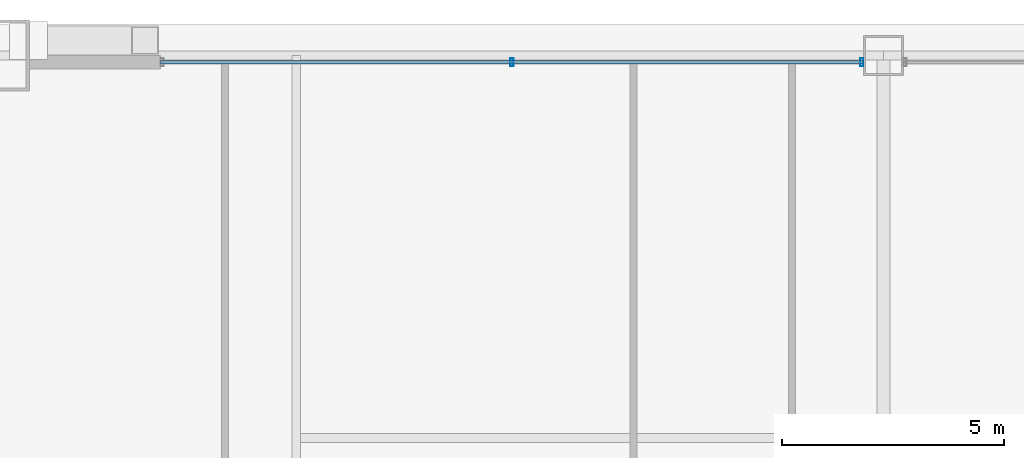
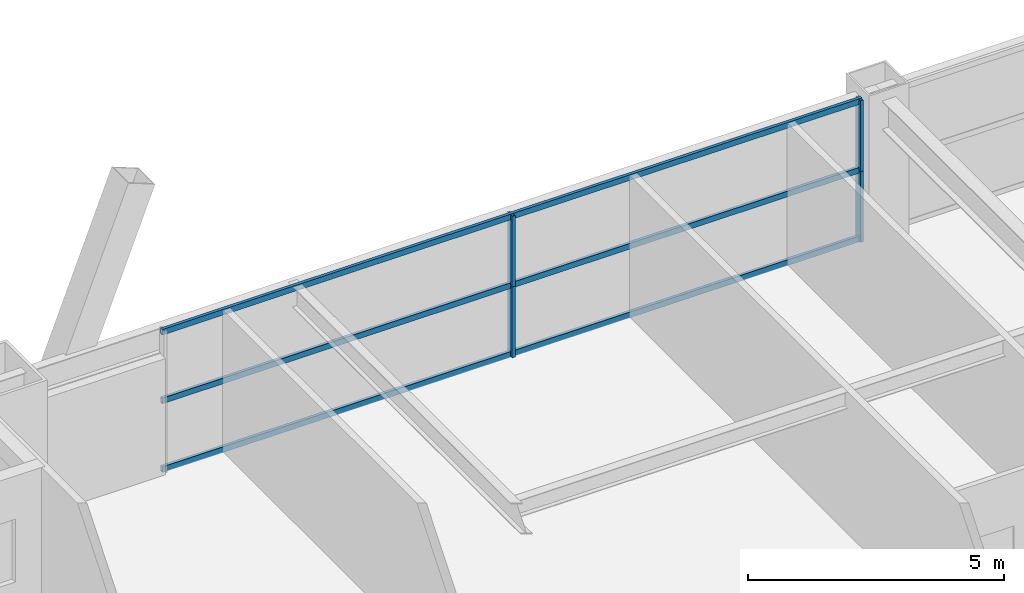
# One storey, part 27 of 41: 7 members, 1 element without a shape of its own.
"""IFC4 building model written with IfcOpenShell, lengths in metres."""

from ifc_helpers import new_model, si_unit, direction, frame, origin, origin_2d, place, context, subcontext, project, spatial, hollow_rectangle, extrude, source, transform, mapped, material, layer, layer_set, material_profile, profile_set, type_object, element, aggregate, save


model = new_model("IFC4")

# Units and contexts
model_context = context("Model", 3, precision=1e-05, world=origin(), true_north=direction((0.0, 1.0)))
body_context = subcontext(model_context, "Body", "Model", "MODEL_VIEW")
ifc_project = project(units=[si_unit("LENGTHUNIT", "METRE"), si_unit("AREAUNIT", "SQUARE_METRE"), si_unit("VOLUMEUNIT", "CUBIC_METRE"), si_unit("PLANEANGLEUNIT", "RADIAN"), si_unit("MASSUNIT", "GRAM", prefix="KILO"), si_unit("THERMODYNAMICTEMPERATUREUNIT", "KELVIN"), si_unit("POWERUNIT", "WATT")], contexts=[model_context])

# Site, building, storey
site_placement = place(None, origin())
site = spatial("IfcSite", under=ifc_project, at=site_placement, CompositionType="ELEMENT")
building_placement = place(site_placement, origin())
building = spatial("IfcBuilding", under=site, at=building_placement, Name="Yuzanri Waterfront Tower", CompositionType="ELEMENT")
storey_placement = place(building_placement, frame((0.0, 0.0, 115.39990234375)))
storey = spatial("IfcBuildingStorey", under=building, at=storey_placement, Name="L30", CompositionType="ELEMENT", Elevation=115.39990234375)

# Curtain wall, members
ifc_material_1 = material(Name="Anodized Architectural Bronze", Category="metal")
ifc_layer = layer(ifc_material_1, 0.159912109375)
ifc_layer_set = layer_set([ifc_layer], Name="Anodized Architectural Bronze")
curtain_wall_type = type_object("IfcCurtainWallType", Name="Anodized Bronze Hotel Upper-Tier Solar-Control Unitized Curtain Wall 7800", PredefinedType="NOTDEFINED", material=ifc_layer_set)
curtain_wall_placement = place(storey_placement, origin())
curtain_wall = element("IfcCurtainWall", 1, at=curtain_wall_placement, inside=storey, type_object=curtain_wall_type, Name="L30 Curtain Wall CW-L30-NL", PredefinedType="NOTDEFINED")
ifc_material_2 = material(Name="Anodized Architectural Bronze", Category="metal")
ifc_material_profile_1 = material_profile(ifc_material_2, hollow_rectangle(XDim=0.070068359375, YDim=0.179931640625, WallThickness=0.00390625, at=origin_2d()), Name="CWM 70x180")
ifc_profile_set_1 = profile_set([ifc_material_profile_1], Name="Anodized Architectural Bronze")
member_type_1 = type_object("IfcMemberType", Name="Anodized Bronze Standard Curtain-Wall Mullion 70x180", PredefinedType="MULLION", material=ifc_profile_set_1)
shared_shape_1 = source(origin(), body_context, "Body", "SweptSolid", [
    extrude(hollow_rectangle(XDim=0.070068359375, YDim=0.179931640625, WallThickness=0.00390625, at=origin_2d()), origin(), (0.0, 0.0, 1.0), 1.68798828125),
])
member_1_placement = place(storey_placement, frame((28.64990234375, 49.25, 0.0), z_axis=(0.0, 0.0, 1.0), x_axis=(1.0, 0.0, 0.0)))
member_1 = element("IfcMember", 2, at=member_1_placement, type_object=member_type_1, Name="CW-L30-NL Lower Mullion 01", PredefinedType="MULLION", context=body_context, shape_type="MappedRepresentation", body=[
    mapped(shared_shape_1, transform((0.0, 0.0, 0.0), scale=1.0)),
])
member_2_placement = place(storey_placement, frame((28.64990234375, 49.25, 1.692138671875), z_axis=(0.0, 0.0, 1.0), x_axis=(1.0, 0.0, 0.0)))
member_2 = element("IfcMember", 3, at=member_2_placement, type_object=member_type_1, Name="CW-L30-NL Upper Mullion 01", PredefinedType="MULLION", context=body_context, shape_type="MappedRepresentation", body=[
    mapped(shared_shape_1, transform((0.0, 0.0, 0.0), scale=1.0)),
])
member_3_placement = place(storey_placement, frame((36.510009765625, 49.25, 0.0), z_axis=(0.0, 0.0, 1.0), x_axis=(1.0, 0.0, 0.0)))
member_3 = element("IfcMember", 4, at=member_3_placement, type_object=member_type_1, Name="CW-L30-NL Lower Mullion 02", PredefinedType="MULLION", context=body_context, shape_type="MappedRepresentation", body=[
    mapped(shared_shape_1, transform((0.0, 0.0, 0.0), scale=1.0)),
])
member_4_placement = place(storey_placement, frame((36.510009765625, 49.25, 1.692138671875), z_axis=(0.0, 0.0, 1.0), x_axis=(1.0, 0.0, 0.0)))
member_4 = element("IfcMember", 5, at=member_4_placement, type_object=member_type_1, Name="CW-L30-NL Upper Mullion 02", PredefinedType="MULLION", context=body_context, shape_type="MappedRepresentation", body=[
    mapped(shared_shape_1, transform((0.0, 0.0, 0.0), scale=1.0)),
])
ifc_material_3 = material(Name="Anodized Architectural Bronze", Category="metal")
ifc_material_profile_2 = material_profile(ifc_material_3, hollow_rectangle(XDim=0.070068359375, YDim=0.135009765625, WallThickness=0.00341796875, at=origin_2d()), Name="CWT 70x135")
ifc_profile_set_2 = profile_set([ifc_material_profile_2], Name="Anodized Architectural Bronze")
member_type_2 = type_object("IfcMemberType", Name="Anodized Bronze Standard Curtain-Wall Transom 70x135", PredefinedType="USERDEFINED", material=ifc_profile_set_2)
shared_shape_2 = source(origin(), body_context, "Body", "SweptSolid", [
    extrude(hollow_rectangle(XDim=0.070068359375, YDim=0.135009765625, WallThickness=0.00341796875, at=origin_2d()), origin(), (0.0, 0.0, 1.0), 15.800048828125),
])
member_5_placement = place(storey_placement, frame((20.75, 49.25, 0.050048828125), z_axis=(1.0, 0.0, 0.0), x_axis=(0.0, 1.0, 0.0)))
member_5 = element("IfcMember", 6, at=member_5_placement, type_object=member_type_2, Name="CW-L30-NL Transom 1", ObjectType="TRANSOM", PredefinedType="USERDEFINED", context=body_context, shape_type="MappedRepresentation", body=[
    mapped(shared_shape_2, transform((0.0, 0.0, 0.0), scale=1.0)),
])
member_6_placement = place(storey_placement, frame((20.75, 49.25, 1.690185546875), z_axis=(1.0, 0.0, 0.0), x_axis=(0.0, 1.0, 0.0)))
member_6 = element("IfcMember", 7, at=member_6_placement, type_object=member_type_2, Name="CW-L30-NL Transom 2", ObjectType="TRANSOM", PredefinedType="USERDEFINED", context=body_context, shape_type="MappedRepresentation", body=[
    mapped(shared_shape_2, transform((0.0, 0.0, 0.0), scale=1.0)),
])
member_7_placement = place(storey_placement, frame((20.75, 49.25, 3.330078125), z_axis=(1.0, 0.0, 0.0), x_axis=(0.0, 1.0, 0.0)))
member_7 = element("IfcMember", 8, at=member_7_placement, type_object=member_type_2, Name="CW-L30-NL Transom 3", ObjectType="TRANSOM", PredefinedType="USERDEFINED", context=body_context, shape_type="MappedRepresentation", body=[
    mapped(shared_shape_2, transform((0.0, 0.0, 0.0), scale=1.0)),
])
aggregate(curtain_wall, [member_1, member_2, member_3, member_4, member_5, member_6, member_7])

save(model, "model.ifc")
